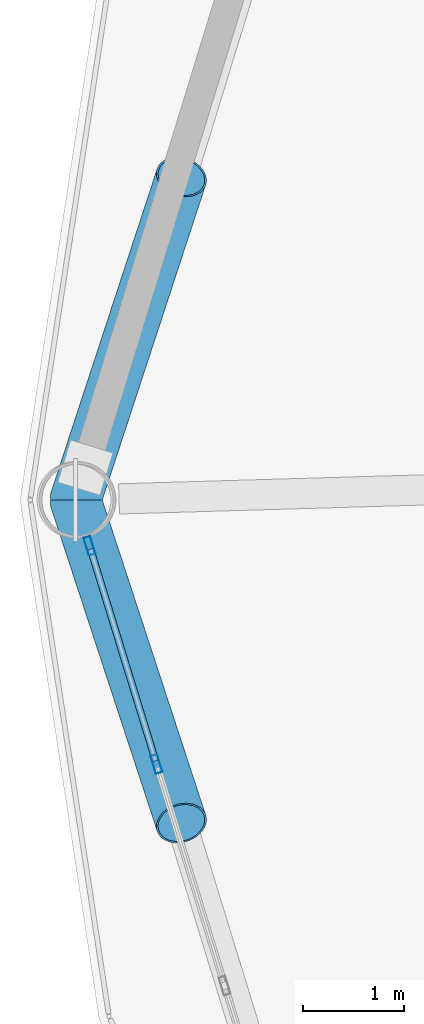
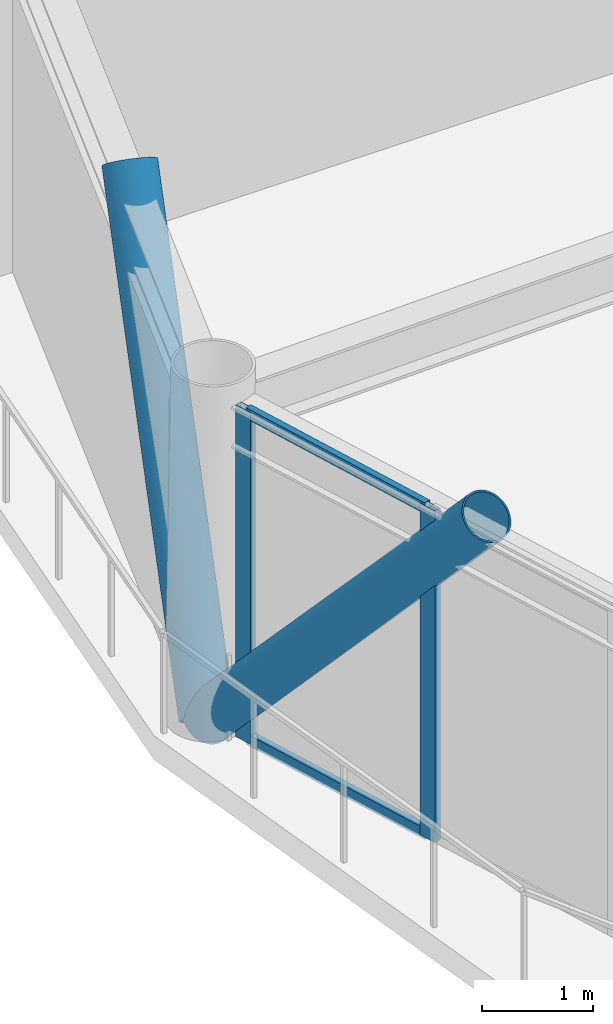
# One storey, part 8 of 25: 6 members, 1 element without a shape of its own.
"""IFC4 building model written with IfcOpenShell, lengths in metres."""

from ifc_helpers import new_model, si_unit, direction, frame, origin, origin_2d, place, context, subcontext, project, spatial, hollow_rectangle, hollow_circle, extrude, material, layer, layer_set, material_profile, profile_set, type_object, element, aggregate, save


model = new_model("IFC4")

# Units and contexts
model_context = context("Model", 3, precision=1e-05, world=origin(), true_north=direction((0.0, 1.0)))
body_context = subcontext(model_context, "Body", "Model", "MODEL_VIEW")
ifc_project = project(units=[si_unit("LENGTHUNIT", "METRE"), si_unit("AREAUNIT", "SQUARE_METRE"), si_unit("VOLUMEUNIT", "CUBIC_METRE"), si_unit("PLANEANGLEUNIT", "RADIAN"), si_unit("MASSUNIT", "GRAM", prefix="KILO")], contexts=[model_context])

# Site, building, storey
site_placement = place(None, origin())
site = spatial("IfcSite", under=ifc_project, at=site_placement, CompositionType="ELEMENT")
building_placement = place(site_placement, origin())
building = spatial("IfcBuilding", under=site, at=building_placement, Name="Varnakorn Sky Granary", CompositionType="ELEMENT")
storey_placement = place(building_placement, frame((0.0, 0.0, 122.699951171875)))
storey = spatial("IfcBuildingStorey", under=building, at=storey_placement, Name="L30", CompositionType="ELEMENT", Elevation=122.699951171875)

# Curtain wall, members
ifc_material_1 = material(Name="Anodised Bronze Aluminium Alloy 6063-T6", Category="aluminium")
ifc_layer = layer(ifc_material_1, 0.179931640625, Name="Anodised Bronze Aluminium Alloy 6063-T6")
ifc_layer_set = layer_set([ifc_layer], Name="Anodised Bronze Aluminium Alloy 6063-T6")
curtain_wall_type = type_object("IfcCurtainWallType", Name="CW-FRM-2", PredefinedType="USERDEFINED", material=ifc_layer_set)
curtain_wall_placement = place(storey_placement, origin())
curtain_wall = element("IfcCurtainWall", 1, at=curtain_wall_placement, inside=storey, type_object=curtain_wall_type, Name="Unitised Curtain Wall CW4 CW-L30-B07", ObjectType="CURTAIN WALL", PredefinedType="USERDEFINED")
ifc_material_profile_1 = material_profile(ifc_material_1, hollow_rectangle(XDim=0.070068359375, YDim=0.18505859375, WallThickness=0.00390625, at=origin_2d()), Name="ALU MULL 70x185")
ifc_profile_set_1 = profile_set([ifc_material_profile_1], Name="Anodised Bronze Aluminium Alloy 6063-T6")
member_type_1 = type_object("IfcMemberType", Name="CW-FRM-2-MULL", PredefinedType="MULLION", material=ifc_profile_set_1)
member_1_placement = place(storey_placement, frame((-21.9443359375, -2.62158203125, 0.0), z_axis=(0.0, 0.0, 1.0), x_axis=(-0.955870322198, -0.293788915961, 0.0)))
member_1 = element("IfcMember", 2, at=member_1_placement, type_object=member_type_1, Name="CW4 mullion 4", PredefinedType="MULLION", context=body_context, shape_type="SweptSolid", body=[
    extrude(hollow_rectangle(XDim=0.070068359375, YDim=0.18505859375, WallThickness=0.00390625, at=origin_2d()), origin(), (0.0, 0.0, 1.0), 3.64013671875),
])
member_2_placement = place(storey_placement, frame((-22.610107421875, -0.454833984375, 0.0), z_axis=(0.0, 0.0, 1.0), x_axis=(-0.955870322198, -0.293788915961, 0.0)))
member_2 = element("IfcMember", 3, at=member_2_placement, type_object=member_type_1, Name="CW4 mullion 5", PredefinedType="MULLION", context=body_context, shape_type="SweptSolid", body=[
    extrude(hollow_rectangle(XDim=0.070068359375, YDim=0.18505859375, WallThickness=0.00390625, at=origin_2d()), origin(), (0.0, 0.0, 1.0), 3.64013671875),
])
ifc_material_profile_2 = material_profile(ifc_material_1, hollow_rectangle(XDim=0.06494140625, YDim=0.1201171875, WallThickness=0.00341796875, at=origin_2d()), Name="ALU TRAN 65x120")
ifc_profile_set_2 = profile_set([ifc_material_profile_2], Name="Anodised Bronze Aluminium Alloy 6063-T6")
member_type_2 = type_object("IfcMemberType", Name="CW-FRM-2-TRAN", PredefinedType="USERDEFINED", material=ifc_profile_set_2)
member_3_placement = place(storey_placement, frame((-21.95458984375, -2.588134765625, 0.032470703125), z_axis=(-0.293765604361, 0.95587748676, 0.0), x_axis=(-0.95587748676, -0.293765604361, 0.0)))
member_3 = element("IfcMember", 4, at=member_3_placement, type_object=member_type_2, Name="CW4 transom 4.1", ObjectType="TRANSOM", PredefinedType="USERDEFINED", context=body_context, shape_type="SweptSolid", body=[
    extrude(hollow_rectangle(XDim=0.06494140625, YDim=0.1201171875, WallThickness=0.00341796875, at=origin_2d()), origin(), (0.0, 0.0, 1.0), 2.196533203125),
])
member_4_placement = place(storey_placement, frame((-21.95458984375, -2.588134765625, 3.607666015625), z_axis=(-0.293765604361, 0.95587748676, 0.0), x_axis=(-0.95587748676, -0.293765604361, 0.0)))
member_4 = element("IfcMember", 5, at=member_4_placement, type_object=member_type_2, Name="CW4 transom 4.2", ObjectType="TRANSOM", PredefinedType="USERDEFINED", context=body_context, shape_type="SweptSolid", body=[
    extrude(hollow_rectangle(XDim=0.06494140625, YDim=0.1201171875, WallThickness=0.00341796875, at=origin_2d()), origin(), (0.0, 0.0, 1.0), 2.196533203125),
])
aggregate(curtain_wall, [member_1, member_2, member_3, member_4])

# Members
ifc_material_2 = material(Name="Steel S460M", Category="steel")
ifc_material_profile_3 = material_profile(ifc_material_2, hollow_circle(Radius=0.25390625, WallThickness=0.01806640625, at=origin_2d()), Name="CHS 508x18")
ifc_profile_set_3 = profile_set([ifc_material_profile_3], Name="Steel S460M")
member_type_3 = type_object("IfcMemberType", Name="MB-DIAG-T2", PredefinedType="BRACE", material=ifc_profile_set_3)
for number, where, z_axis, x_axis, name in (
    (6, (-22.75, 0.0, 0.0), (0.207301500945, 0.631863057184, 0.746843467316), (-0.950170187711, 0.311731638408, 0.0), "Perimeter CHS Diagrid Brace DG06 L30"),
    (7, (-22.75, 0.0, 0.0), (0.207301500945, -0.631863057184, 0.746843467316), (0.950170187711, 0.311731638408, 0.0), "Perimeter CHS Diagrid Brace DG07 L30"),
):
    element("IfcMember", number, at=place(storey_placement, frame(where, z_axis=z_axis, x_axis=x_axis)), inside=storey, type_object=member_type_3, Name=name, PredefinedType="BRACE", context=body_context, shape_type="SweptSolid", body=[
        extrude(hollow_circle(Radius=0.25390625, WallThickness=0.01806640625, at=origin_2d()), origin(), (0.0, 0.0, 1.0), 5.07470703125),
    ])

save(model, "model.ifc")
